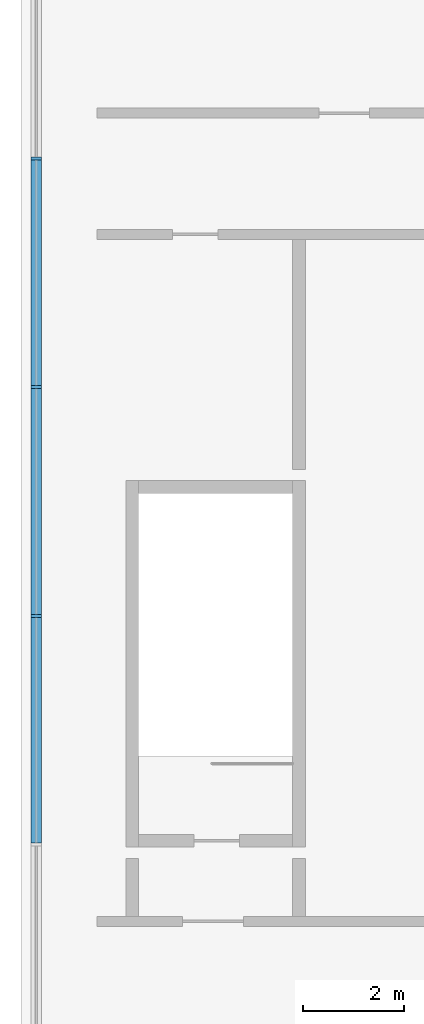
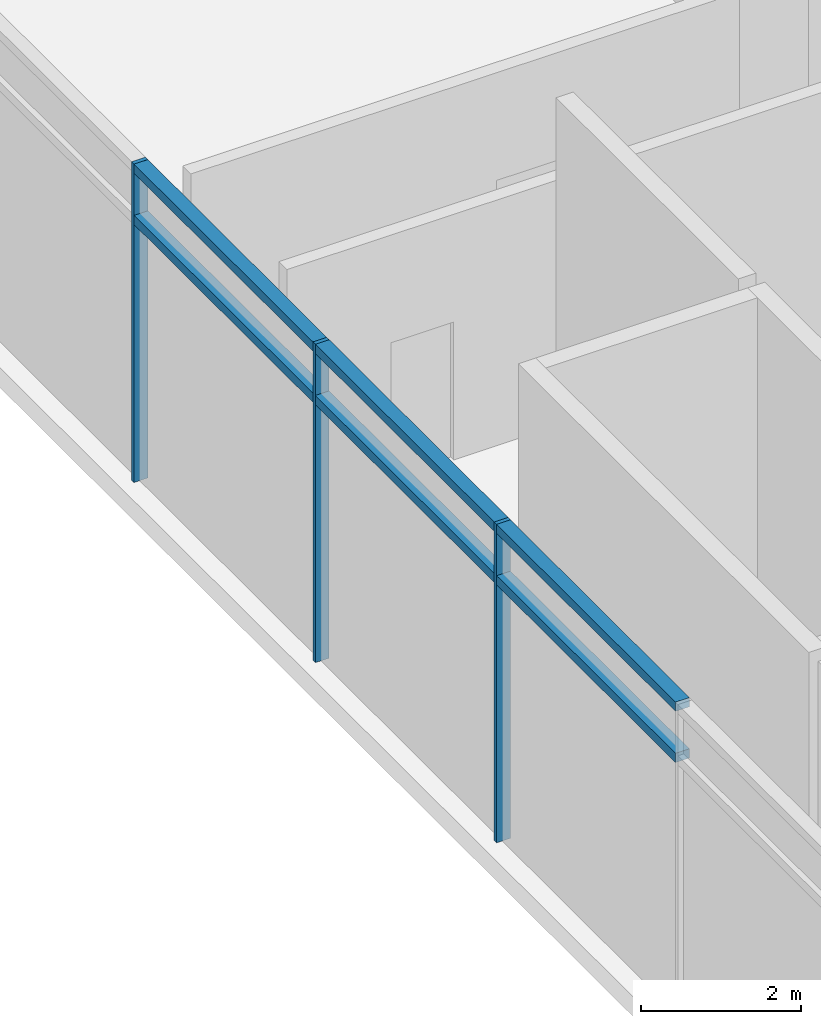
# One storey, part 3 of 17: 9 members, 1 element without a shape of its own.
"""IFC4 building model written with IfcOpenShell, lengths in metres."""

from ifc_helpers import new_model, si_unit, direction, frame, origin, origin_2d, place, context, subcontext, project, spatial, rectangle, extrude, material, material_profile, profile_set, type_object, element, aggregate, save


model = new_model("IFC4")

# Units and contexts
model_context = context("Model", 3, precision=1e-05, world=origin(), true_north=direction((0.0, 1.0)))
body_context = subcontext(model_context, "Body", "Model", "MODEL_VIEW")
ifc_project = project(units=[si_unit("LENGTHUNIT", "METRE"), si_unit("AREAUNIT", "SQUARE_METRE"), si_unit("VOLUMEUNIT", "CUBIC_METRE"), si_unit("PLANEANGLEUNIT", "RADIAN"), si_unit("MASSUNIT", "GRAM", prefix="KILO")], contexts=[model_context])

# Site, building, storey
site_placement = place(None, origin())
site = spatial("IfcSite", under=ifc_project, at=site_placement, CompositionType="ELEMENT")
building_placement = place(site_placement, origin())
building = spatial("IfcBuilding", under=site, at=building_placement, Name="Bicima Exchange Tower", CompositionType="ELEMENT")
storey_placement = place(building_placement, frame((0.0, 0.0, 30.0)))
storey = spatial("IfcBuildingStorey", under=building, at=storey_placement, Name="L05", CompositionType="ELEMENT", Elevation=30.0)

# Curtain wall, members
ifc_material = material(Name="Anodised bronze aluminium", Category="aluminium")
curtain_wall_type = type_object("IfcCurtainWallType", Name="Lobby glazing", PredefinedType="NOTDEFINED", material=ifc_material)
curtain_wall_placement = place(storey_placement, origin())
curtain_wall = element("IfcCurtainWall", 1, at=curtain_wall_placement, inside=storey, type_object=curtain_wall_type, Name="Podium glazing L05 west 1", PredefinedType="NOTDEFINED")
ifc_material_profile_1 = material_profile(ifc_material, rectangle(XDim=0.199951171875, YDim=0.06005859375, at=origin_2d()))
ifc_profile_set_1 = profile_set([ifc_material_profile_1], Name="Anodised bronze aluminium")
member_type_1 = type_object("IfcMemberType", Name="Lobby glazing mullion 60 x 200", PredefinedType="MULLION", material=ifc_profile_set_1)
member_1_placement = place(storey_placement, frame((-43.199951171875, -13.902099609375, 0.0), z_axis=(0.0, 0.0, 1.0), x_axis=(1.0, 0.0, 0.0)))
member_1 = element("IfcMember", 2, at=member_1_placement, type_object=member_type_1, Name="Lobby glazing mullion 4", PredefinedType="MULLION", context=body_context, shape_type="SweptSolid", body=[
    extrude(rectangle(XDim=0.199951171875, YDim=0.06005859375, at=origin_2d()), origin(), (0.0, 0.0, 1.0), 4.85009765625),
])
member_2_placement = place(storey_placement, frame((-43.199951171875, -18.426025390625, 0.0), z_axis=(0.0, 0.0, 1.0), x_axis=(1.0, 0.0, 0.0)))
member_2 = element("IfcMember", 3, at=member_2_placement, type_object=member_type_1, Name="Lobby glazing mullion 5", PredefinedType="MULLION", context=body_context, shape_type="SweptSolid", body=[
    extrude(rectangle(XDim=0.199951171875, YDim=0.06005859375, at=origin_2d()), origin(), (0.0, 0.0, 1.0), 4.85009765625),
])
member_3_placement = place(storey_placement, frame((-43.199951171875, -22.949951171875, 0.0), z_axis=(0.0, 0.0, 1.0), x_axis=(1.0, 0.0, 0.0)))
member_3 = element("IfcMember", 4, at=member_3_placement, type_object=member_type_1, Name="Lobby glazing mullion 6", PredefinedType="MULLION", context=body_context, shape_type="SweptSolid", body=[
    extrude(rectangle(XDim=0.199951171875, YDim=0.06005859375, at=origin_2d()), origin(), (0.0, 0.0, 1.0), 4.85009765625),
])
ifc_material_profile_2 = material_profile(ifc_material, rectangle(XDim=0.199951171875, YDim=0.139892578125, at=origin_2d()))
ifc_profile_set_2 = profile_set([ifc_material_profile_2], Name="Anodised bronze aluminium")
member_type_2 = type_object("IfcMemberType", Name="Lobby glazing transom 140 x 200", PredefinedType="USERDEFINED", material=ifc_profile_set_2)
member_4_placement = place(storey_placement, frame((-43.199951171875, -13.931884765625, 4.0), z_axis=(0.0, -1.0, 0.0), x_axis=(1.0, 0.0, 0.0)))
member_4 = element("IfcMember", 5, at=member_4_placement, type_object=member_type_2, Name="Lobby glazing transom 4.1", ObjectType="TRANSOM", PredefinedType="USERDEFINED", context=body_context, shape_type="SweptSolid", body=[
    extrude(rectangle(XDim=0.199951171875, YDim=0.139892578125, at=origin_2d()), origin(), (0.0, 0.0, 1.0), 4.464111328125),
])
member_5_placement = place(storey_placement, frame((-43.199951171875, -13.931884765625, 4.780029296875), z_axis=(0.0, -1.0, 0.0), x_axis=(1.0, 0.0, 0.0)))
member_5 = element("IfcMember", 6, at=member_5_placement, type_object=member_type_2, Name="Lobby glazing transom 4.2", ObjectType="TRANSOM", PredefinedType="USERDEFINED", context=body_context, shape_type="SweptSolid", body=[
    extrude(rectangle(XDim=0.199951171875, YDim=0.139892578125, at=origin_2d()), origin(), (0.0, 0.0, 1.0), 4.464111328125),
])
member_6_placement = place(storey_placement, frame((-43.199951171875, -18.4560546875, 4.0), z_axis=(0.0, -1.0, 0.0), x_axis=(1.0, 0.0, 0.0)))
member_6 = element("IfcMember", 7, at=member_6_placement, type_object=member_type_2, Name="Lobby glazing transom 5.1", ObjectType="TRANSOM", PredefinedType="USERDEFINED", context=body_context, shape_type="SweptSolid", body=[
    extrude(rectangle(XDim=0.199951171875, YDim=0.139892578125, at=origin_2d()), origin(), (0.0, 0.0, 1.0), 4.4638671875),
])
member_7_placement = place(storey_placement, frame((-43.199951171875, -18.4560546875, 4.780029296875), z_axis=(0.0, -1.0, 0.0), x_axis=(1.0, 0.0, 0.0)))
member_7 = element("IfcMember", 8, at=member_7_placement, type_object=member_type_2, Name="Lobby glazing transom 5.2", ObjectType="TRANSOM", PredefinedType="USERDEFINED", context=body_context, shape_type="SweptSolid", body=[
    extrude(rectangle(XDim=0.199951171875, YDim=0.139892578125, at=origin_2d()), origin(), (0.0, 0.0, 1.0), 4.4638671875),
])
member_8_placement = place(storey_placement, frame((-43.199951171875, -22.97998046875, 4.0), z_axis=(0.0, -1.0, 0.0), x_axis=(1.0, 0.0, 0.0)))
member_8 = element("IfcMember", 9, at=member_8_placement, type_object=member_type_2, Name="Lobby glazing transom 6.1", ObjectType="TRANSOM", PredefinedType="USERDEFINED", context=body_context, shape_type="SweptSolid", body=[
    extrude(rectangle(XDim=0.199951171875, YDim=0.139892578125, at=origin_2d()), origin(), (0.0, 0.0, 1.0), 4.464111328125),
])
member_9_placement = place(storey_placement, frame((-43.199951171875, -22.97998046875, 4.780029296875), z_axis=(0.0, -1.0, 0.0), x_axis=(1.0, 0.0, 0.0)))
member_9 = element("IfcMember", 10, at=member_9_placement, type_object=member_type_2, Name="Lobby glazing transom 6.2", ObjectType="TRANSOM", PredefinedType="USERDEFINED", context=body_context, shape_type="SweptSolid", body=[
    extrude(rectangle(XDim=0.199951171875, YDim=0.139892578125, at=origin_2d()), origin(), (0.0, 0.0, 1.0), 4.464111328125),
])
aggregate(curtain_wall, [member_1, member_2, member_3, member_4, member_5, member_6, member_7, member_8, member_9])

save(model, "model.ifc")
